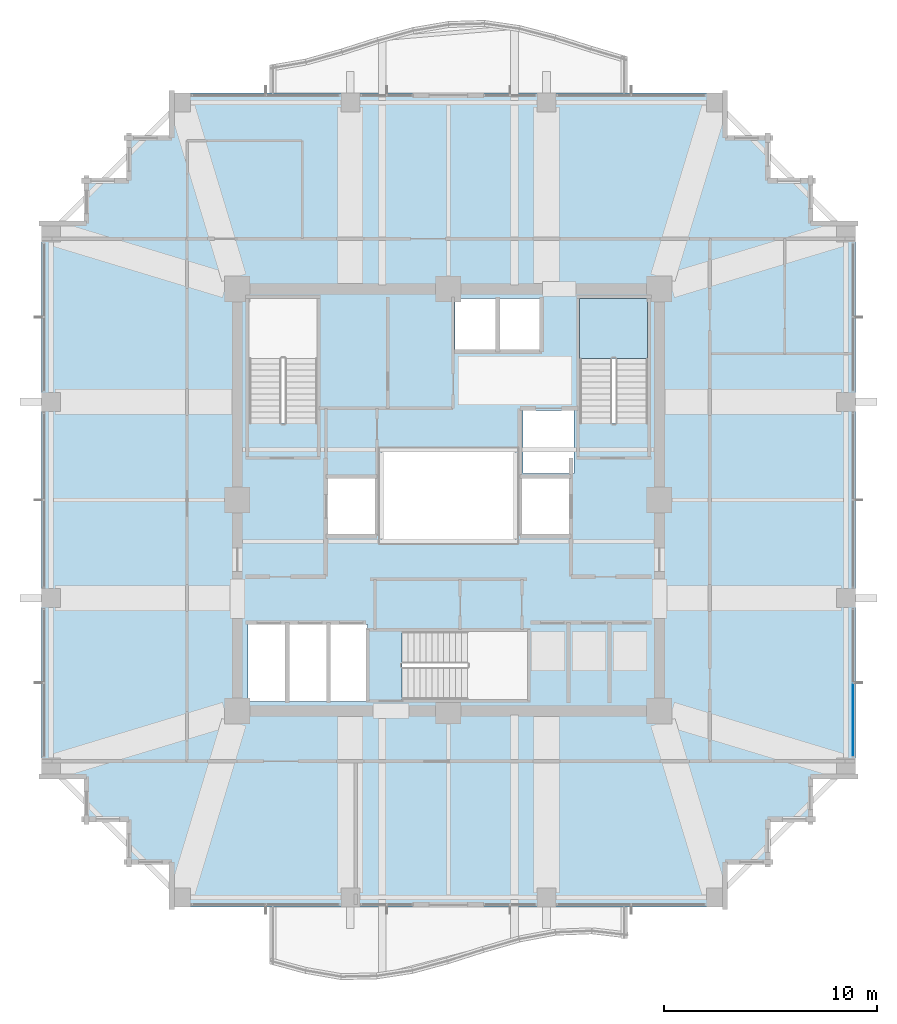
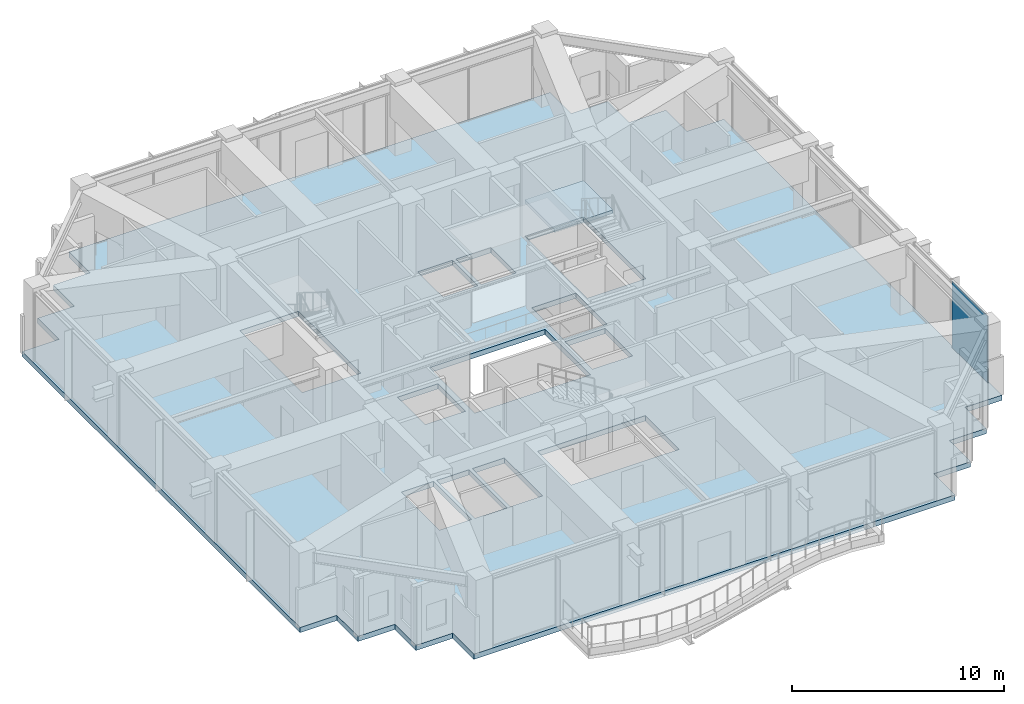
# One storey, part 23 of 33: 2 slabs, 1 plate, 2 elements without a shape of their own.
"""IFC4 building model written with IfcOpenShell, lengths in metres."""

from ifc_helpers import new_model, si_unit, direction, frame, origin, origin_2d, place, context, subcontext, project, spatial, polyline, rectangle, outline, extrude, material, layer, layer_set, type_object, element, aggregate, save


model = new_model("IFC4")

# Units and contexts
model_context = context("Model", 3, precision=1e-05, world=origin(), true_north=direction((0.0, 1.0)))
body_context = subcontext(model_context, "Body", "Model", "MODEL_VIEW")
ifc_project = project(units=[si_unit("LENGTHUNIT", "METRE"), si_unit("AREAUNIT", "SQUARE_METRE"), si_unit("VOLUMEUNIT", "CUBIC_METRE"), si_unit("PLANEANGLEUNIT", "RADIAN"), si_unit("MASSUNIT", "GRAM", prefix="KILO")], contexts=[model_context])

# Site, building, storey
site_placement = place(None, origin())
site = spatial("IfcSite", under=ifc_project, at=site_placement, CompositionType="ELEMENT")
building_placement = place(site_placement, origin())
building = spatial("IfcBuilding", under=site, at=building_placement, Name="Kolvaren Belvedere", CompositionType="ELEMENT")
storey_placement = place(building_placement, frame((0.0, 0.0, 152.699951171875)))
storey = spatial("IfcBuildingStorey", under=building, at=storey_placement, Name="L44", CompositionType="ELEMENT", Elevation=152.699951171875)

# Curtain wall, plate
ifc_material_1 = material(Name="Anodised pale-metal aluminium AA 6063-T6", Category="aluminium")
curtain_wall_type = type_object("IfcCurtainWallType", Name="CW-Z3-WAIST", PredefinedType="NOTDEFINED", material=ifc_material_1)
curtain_wall_placement = place(storey_placement, origin())
curtain_wall = element("IfcCurtainWall", 1, at=curtain_wall_placement, inside=storey, type_object=curtain_wall_type, Name="L44 Unitised Curtain Wall FCW-L44-E-B3", PredefinedType="NOTDEFINED")
ifc_material_2 = material(Name="Low-iron triple insulated glass", Category="glass")
ifc_layer_1 = layer(ifc_material_2, 0.028076171875)
ifc_layer_set_1 = layer_set([ifc_layer_1], Name="Low-iron triple insulated glass")
plate_type = type_object("IfcPlateType", Name="CW-PNL-VIS28", PredefinedType="CURTAIN_PANEL", material=ifc_layer_set_1)
plate_placement = place(storey_placement, frame((18.97998046875, -10.311279296875, 0.080078125), z_axis=(0.0, 0.0, 1.0), x_axis=(0.0, -1.0, 0.0)))
plate = element("IfcPlate", 2, at=plate_placement, type_object=plate_type, Name="FCW-L44-E-B3 Vision Glazing Panel 2", PredefinedType="CURTAIN_PANEL", context=body_context, shape_type="SweptSolid", body=[
    extrude(rectangle(XDim=3.392578125, YDim=0.028076171875, at=origin_2d()), origin(), (0.0, 0.0, 1.0), 3.840087890625),
])
aggregate(curtain_wall, [plate])

# Slab
ifc_material_3 = material(Name="Concrete C50/60", Category="concrete")
ifc_layer_2 = layer(ifc_material_3, 0.300048828125)
ifc_layer_set_2 = layer_set([ifc_layer_2], Name="Concrete C50/60")
slab_type_1 = type_object("IfcSlabType", Name="SL-FLR-300", PredefinedType="FLOOR", material=ifc_layer_set_2)
slab_1_placement = place(storey_placement, frame((0.0, 0.0, -0.300048828125)))
element("IfcSlab", 3, at=slab_1_placement, inside=storey, type_object=slab_type_1, Name="L44 Primary Structural Slab", PredefinedType="FLOOR", context=body_context, shape_type="SweptSolid", body=[
    extrude(outline(polyline([(-13.10009765625, -19.10009765625), (13.10009765625, -19.10009765625), (13.10009765625, -17.10009765625), (15.10009765625, -17.10009765625), (15.10009765625, -15.10009765625), (17.10009765625, -15.10009765625), (17.10009765625, -13.10009765625), (19.10009765625, -13.10009765625), (19.10009765625, 13.10009765625), (17.10009765625, 13.10009765625), (17.10009765625, 15.10009765625), (15.10009765625, 15.10009765625), (15.10009765625, 17.10009765625), (13.10009765625, 17.10009765625), (13.10009765625, 19.10009765625), (-13.10009765625, 19.10009765625), (-13.10009765625, 17.10009765625), (-15.10009765625, 17.10009765625), (-15.10009765625, 15.10009765625), (-17.10009765625, 15.10009765625), (-17.10009765625, 13.10009765625), (-19.10009765625, 13.10009765625), (-19.10009765625, -13.10009765625), (-17.10009765625, -13.10009765625), (-17.10009765625, -15.10009765625), (-15.10009765625, -15.10009765625), (-15.10009765625, -17.10009765625), (-13.10009765625, -17.10009765625), (-13.10009765625, -19.10009765625)]), holes=[polyline([(-9.35009765625, 3.580078125), (-6.159912109375, 3.580078125), (-6.159912109375, 9.449951171875), (-9.35009765625, 9.449951171875), (-9.35009765625, 3.580078125)]), polyline([(6.159912109375, 3.580078125), (9.35009765625, 3.580078125), (9.35009765625, 9.449951171875), (6.159912109375, 9.449951171875), (6.159912109375, 3.580078125)]), polyline([(-2.169921875, -9.35009765625), (3.699951171875, -9.35009765625), (3.699951171875, -6.159912109375), (-2.169921875, -6.159912109375), (-2.169921875, -9.35009765625)]), polyline([(-5.64990234375, -1.60009765625), (-3.449951171875, -1.60009765625), (-3.449951171875, 1.0), (-5.64990234375, 1.0), (-5.64990234375, -1.60009765625)]), polyline([(3.5, 1.25), (5.89990234375, 1.25), (5.89990234375, 4.199951171875), (3.5, 4.199951171875), (3.5, 1.25)]), polyline([(3.449951171875, -1.60009765625), (5.64990234375, -1.60009765625), (5.64990234375, 1.0), (3.449951171875, 1.0), (3.449951171875, -1.60009765625)]), polyline([(-9.39990234375, -9.449951171875), (-7.64990234375, -9.449951171875), (-7.64990234375, -5.85009765625), (-9.39990234375, -5.85009765625), (-9.39990234375, -9.449951171875)]), polyline([(-7.469970703125, -9.449951171875), (-5.719970703125, -9.449951171875), (-5.719970703125, -5.85009765625), (-7.469970703125, -5.85009765625), (-7.469970703125, -9.449951171875)]), polyline([(-5.5400390625, -9.449951171875), (-3.7900390625, -9.449951171875), (-3.7900390625, -5.85009765625), (-5.5400390625, -5.85009765625), (-5.5400390625, -9.449951171875)]), polyline([(0.320068359375, 7.050048828125), (2.219970703125, 7.050048828125), (2.219970703125, 9.449951171875), (0.320068359375, 9.449951171875), (0.320068359375, 7.050048828125)]), polyline([(2.39990234375, 7.050048828125), (4.300048828125, 7.050048828125), (4.300048828125, 9.449951171875), (2.39990234375, 9.449951171875), (2.39990234375, 7.050048828125)]), polyline([(-3.14990234375, -1.949951171875), (3.14990234375, -1.949951171875), (3.14990234375, 2.35009765625), (-3.14990234375, 2.35009765625), (-3.14990234375, -1.949951171875)])]), origin(), (0.0, 0.0, 1.0), 0.300048828125),
])

# Stair, slab
ifc_material_4 = material(Name="Concrete C50/60", Category="concrete")
stair_type = type_object("IfcStairType", Name="ST-CORE-1520", PredefinedType="HALF_TURN_STAIR", material=ifc_material_4)
stair_placement = place(storey_placement, origin())
stair = element("IfcStair", 4, at=stair_placement, inside=storey, type_object=stair_type, Name="L44 Protected Exit Stair ST-2", PredefinedType="HALF_TURN_STAIR")
ifc_material_5 = material(Name="Concrete C50/60", Category="concrete")
ifc_layer_3 = layer(ifc_material_5, 0.260009765625)
ifc_layer_set_3 = layer_set([ifc_layer_3], Name="Concrete C50/60")
slab_type_2 = type_object("IfcSlabType", Name="SL-LAND-260", PredefinedType="LANDING", material=ifc_layer_set_3)
slab_2_placement = place(storey_placement, frame((0.0, 0.0, 1.900146484375)))
slab_2 = element("IfcSlab", 5, at=slab_2_placement, type_object=slab_type_2, Name="ST-2 landing 1", PredefinedType="LANDING", context=body_context, shape_type="SweptSolid", body=[
    extrude(outline(polyline([(9.35009765625, 6.64990234375), (9.35009765625, 9.449951171875), (6.159912109375, 9.449951171875), (6.159912109375, 6.64990234375), (9.35009765625, 6.64990234375)])), origin(), (0.0, 0.0, 1.0), 0.199951171875),
])
aggregate(stair, [slab_2])

save(model, "model.ifc")
